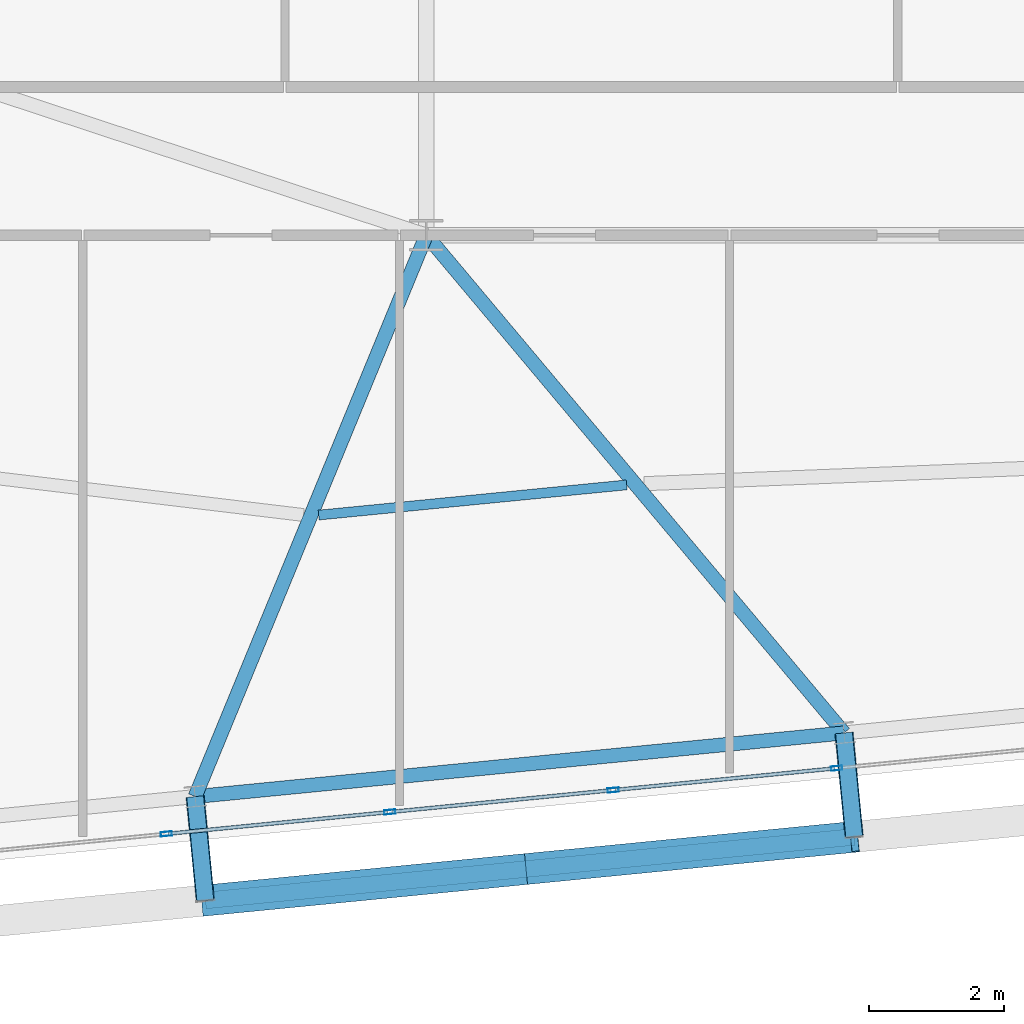
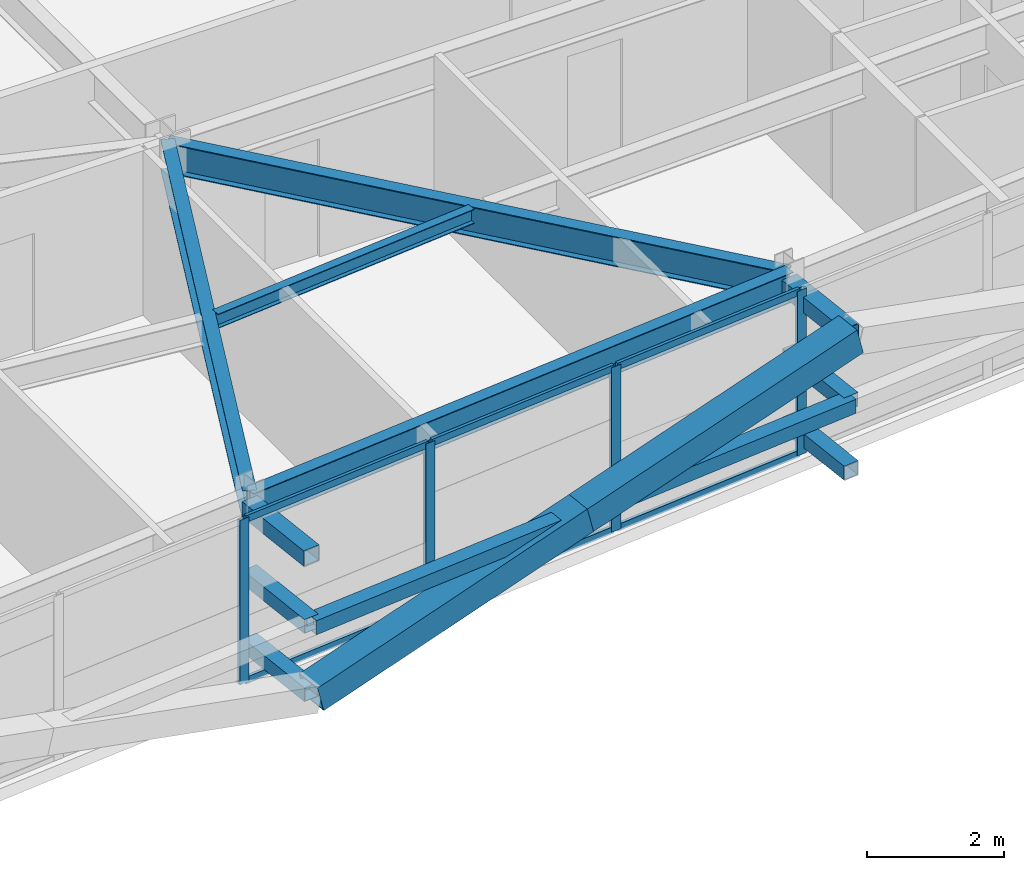
# One storey, part 10 of 53: 19 members, 4 beams, 1 element without a shape of its own.
"""IFC4 building model written with IfcOpenShell, lengths in metres."""

from ifc_helpers import new_model, si_unit, direction, frame, origin, origin_2d, place, context, subcontext, project, spatial, hollow_rectangle, i_section, extrude, source, transform, mapped, material, layer, layer_set, material_profile, profile_set, type_object, element, aggregate, save


model = new_model("IFC4")

# Units and contexts
model_context = context("Model", 3, precision=1e-05, world=origin(), true_north=direction((0.0, 1.0)))
body_context = subcontext(model_context, "Body", "Model", "MODEL_VIEW")
ifc_project = project(units=[si_unit("LENGTHUNIT", "METRE"), si_unit("AREAUNIT", "SQUARE_METRE"), si_unit("VOLUMEUNIT", "CUBIC_METRE"), si_unit("PLANEANGLEUNIT", "RADIAN"), si_unit("MASSUNIT", "GRAM", prefix="KILO")], contexts=[model_context])

# Site, building, storey
site_placement = place(None, origin())
site = spatial("IfcSite", under=ifc_project, at=site_placement, CompositionType="ELEMENT")
building_placement = place(site_placement, origin())
building = spatial("IfcBuilding", under=site, at=building_placement, Name="Taldren Reach Tower", CompositionType="ELEMENT")
storey_placement = place(building_placement, frame((0.0, 0.0, 71.39990234375)))
storey = spatial("IfcBuildingStorey", under=building, at=storey_placement, Name="L21", CompositionType="ELEMENT", Elevation=71.39990234375)

# Beams
ifc_material_1 = material(Name="Steel Gr 350 (350PLUS)", Category="steel")
ifc_material_profile_1 = material_profile(ifc_material_1, i_section(OverallWidth=0.208984375, OverallDepth=0.528076171875, WebThickness=0.009521484375, FlangeThickness=0.01318359375, at=origin_2d()), Name="530UB82.0")
ifc_profile_set_1 = profile_set([ifc_material_profile_1], Name="Steel Gr 350 (350PLUS)")
beam_type_1 = type_object("IfcBeamType", Name="SP-UB530B", PredefinedType="SPANDREL", material=ifc_profile_set_1)
shared_shape_1 = source(origin(), body_context, "Body", "SweptSolid", [
    extrude(i_section(OverallWidth=0.208984375, OverallDepth=0.528076171875, WebThickness=0.009521484375, FlangeThickness=0.01318359375, at=origin_2d()), origin(), (0.0, 0.0, 1.0), 9.679931640625),
])
beam_1_placement = place(storey_placement, frame((24.56787109375, 0.86474609375, 2.666015625), z_axis=(0.995227612658, 0.097580730699, 0.0), x_axis=(-0.097580730699, 0.995227612658, 0.0)))
element("IfcBeam", 1, at=beam_1_placement, inside=storey, type_object=beam_type_1, Name="Perimeter spandrel B2 S2-S3 L21", PredefinedType="SPANDREL", context=body_context, shape_type="MappedRepresentation", body=[
    mapped(shared_shape_1, transform((0.0, 0.0, 0.0), scale=1.0)),
])
ifc_material_profile_2 = material_profile(ifc_material_1, i_section(OverallWidth=0.208984375, OverallDepth=0.532958984375, WebThickness=0.01025390625, FlangeThickness=0.015625, at=origin_2d()), Name="530UB92.4")
ifc_profile_set_2 = profile_set([ifc_material_profile_2], Name="Steel Gr 350 (350PLUS)")
beam_type_2 = type_object("IfcBeamType", Name="BM-UB530A", PredefinedType="BEAM", material=ifc_profile_set_2)
shared_shape_2 = source(origin(), body_context, "Body", "SweptSolid", [
    extrude(i_section(OverallWidth=0.208984375, OverallDepth=0.532958984375, WebThickness=0.01025390625, FlangeThickness=0.015625, at=origin_2d()), origin(), (0.0, 0.0, 1.0), 9.01416015625),
])
beam_2_placement = place(storey_placement, frame((28.0, 9.199951171875, 2.66357421875), z_axis=(-0.380748443035, -0.924678659387, 0.0), x_axis=(0.924678659387, -0.380748443035, 0.0)))
element("IfcBeam", 2, at=beam_2_placement, inside=storey, type_object=beam_type_2, Name="Primary floor girder B2-S2 L21", PredefinedType="BEAM", context=body_context, shape_type="MappedRepresentation", body=[
    mapped(shared_shape_2, transform((0.0, 0.0, 0.0), scale=1.0)),
])
shared_shape_3 = source(origin(), body_context, "Body", "SweptSolid", [
    extrude(i_section(OverallWidth=0.208984375, OverallDepth=0.532958984375, WebThickness=0.01025390625, FlangeThickness=0.015625, at=origin_2d()), origin(), (0.0, 0.0, 1.0), 9.64794921875),
])
beam_3_placement = place(storey_placement, frame((28.0, 9.199951171875, 2.66357421875), z_axis=(0.642799132398, -0.766034774268, 0.0), x_axis=(0.766034774268, 0.642799132398, 0.0)))
element("IfcBeam", 3, at=beam_3_placement, inside=storey, type_object=beam_type_2, Name="Primary floor girder B2-S3 L21", PredefinedType="BEAM", context=body_context, shape_type="MappedRepresentation", body=[
    mapped(shared_shape_3, transform((0.0, 0.0, 0.0), scale=1.0)),
])
ifc_material_2 = material(Name="Steel Gr 300 (300PLUS, 300 MPa)", Category="steel")
ifc_material_profile_3 = material_profile(ifc_material_2, i_section(OverallWidth=0.14599609375, OverallDepth=0.256103515625, WebThickness=0.00634765625, FlangeThickness=0.010986328125, at=origin_2d()), Name="250UB37.3")
ifc_profile_set_3 = profile_set([ifc_material_profile_3], Name="Steel Gr 300 (300PLUS, 300 MPa)")
beam_type_3 = type_object("IfcBeamType", Name="JS-UB250", PredefinedType="JOIST", material=ifc_profile_set_3)
shared_shape_4 = source(origin(), body_context, "Body", "SweptSolid", [
    extrude(i_section(OverallWidth=0.14599609375, OverallDepth=0.256103515625, WebThickness=0.00634765625, FlangeThickness=0.010986328125, at=origin_2d()), origin(), (0.0, 0.0, 1.0), 4.594970703125),
])
beam_4_placement = place(storey_placement, frame((26.40185546875, 5.0439453125, 2.802001953125), z_axis=(0.995230447096, 0.097551817888, 0.0), x_axis=(-0.097551817888, 0.995230447096, 0.0)))
element("IfcBeam", 4, at=beam_4_placement, inside=storey, type_object=beam_type_3, Name="Secondary floor joist B2 J2 L21", PredefinedType="JOIST", context=body_context, shape_type="MappedRepresentation", body=[
    mapped(shared_shape_4, transform((0.0, 0.0, 0.0), scale=1.0)),
])

# Members
ifc_material_3 = material(Name="Steel Gr 450 (C450L0)", Category="steel")
ifc_material_profile_4 = material_profile(ifc_material_3, hollow_rectangle(XDim=0.27490234375, YDim=0.27490234375, WallThickness=0.00927734375, at=origin_2d()), Name="275x275x9.3SHS")
ifc_profile_set_4 = profile_set([ifc_material_profile_4], Name="Steel Gr 450 (C450L0)")
member_type_1 = type_object("IfcMemberType", Name="MB-TIE273", PredefinedType="STRUT", material=ifc_profile_set_4)
shared_shape_5 = source(origin(), body_context, "Body", "SweptSolid", [
    extrude(hollow_rectangle(XDim=0.27490234375, YDim=0.27490234375, WallThickness=0.00927734375, at=origin_2d()), origin(), (0.0, 0.0, 1.0), 1.550048828125),
])
for number, where, z_axis, x_axis, name in (
    (5, (24.56787109375, 0.86474609375, 2.650146484375), (0.097647892962, -0.9952210252, 0.0), (0.9952210252, 0.097647892962, 0.0), "Exoskeleton diaphragm tie strut B2-S2 L21"),
    (6, (34.20166015625, 1.809326171875, 2.650146484375), (0.097647892962, -0.9952210252, 0.0), (0.9952210252, 0.097647892962, 0.0), "Exoskeleton diaphragm tie strut B2-S3 L21"),
):
    element("IfcMember", number, at=place(storey_placement, frame(where, z_axis=z_axis, x_axis=x_axis)), inside=storey, type_object=member_type_1, Name=name, PredefinedType="STRUT", context=body_context, shape_type="MappedRepresentation", body=[
        mapped(shared_shape_5, transform((0.0, 0.0, 0.0), scale=1.0)),
    ])
ifc_material_profile_5 = material_profile(ifc_material_3, hollow_rectangle(XDim=0.4599609375, YDim=0.4599609375, WallThickness=0.01611328125, at=origin_2d()), Name="460x460x16.0SHS")
ifc_profile_set_5 = profile_set([ifc_material_profile_5], Name="Steel Gr 450 (C450L0)")
member_type_2 = type_object("IfcMemberType", Name="MB-EXO457", PredefinedType="BRACE", material=ifc_profile_set_5)
shared_shape_6 = source(origin(), body_context, "Body", "SweptSolid", [
    extrude(hollow_rectangle(XDim=0.4599609375, YDim=0.4599609375, WallThickness=0.01611328125, at=origin_2d()), origin(), (0.0, 0.0, 1.0), 4.990234375),
])
for number, where, z_axis, x_axis, name in (
    (7, (24.71923828125, -0.677978515625, 0.22021484375), (0.965282554799, 0.094669120301, 0.243448859234), (-0.097605711627, 0.995225162995, 0.0), "Exoskeleton Diagrid Brace B2-S2 L21"),
    (8, (29.5361328125, -0.20556640625, 1.43505859375), (0.965275526283, 0.094619506732, 0.243496010862), (-0.097555749586, 0.995230061706, 0.0), "Exoskeleton Diagrid Brace B2-S2 L21"),
):
    element("IfcMember", number, at=place(storey_placement, frame(where, z_axis=z_axis, x_axis=x_axis)), inside=storey, type_object=member_type_2, Name=name, PredefinedType="BRACE", context=body_context, shape_type="MappedRepresentation", body=[
        mapped(shared_shape_6, transform((0.0, 0.0, 0.0), scale=1.0)),
    ])
ifc_material_4 = material(Name="Steel Gr 350 (C350L0)", Category="steel")
ifc_material_profile_6 = material_profile(ifc_material_4, hollow_rectangle(XDim=0.25, YDim=0.25, WallThickness=0.010009765625, at=origin_2d()), Name="250x250x10.0SHS")
ifc_profile_set_6 = profile_set([ifc_material_profile_6], Name="Steel Gr 350 (C350L0)")
member_type_3 = type_object("IfcMemberType", Name="MB-POST250", PredefinedType="POST", material=ifc_profile_set_6)
shared_shape_7 = source(origin(), body_context, "Body", "SweptSolid", [
    extrude(hollow_rectangle(XDim=0.25, YDim=0.25, WallThickness=0.010009765625, at=origin_2d()), origin(), (0.0, 0.0, 1.0), 9.679931640625),
])
member_1_placement = place(storey_placement, frame((24.71923828125, -0.677978515625, 1.43505859375), z_axis=(0.995227612658, 0.097580730699, 0.0), x_axis=(-0.097580730699, 0.995227612658, 0.0)))
element("IfcMember", 9, at=member_1_placement, inside=storey, type_object=member_type_3, Name="Exoskeleton mid-height ring chord B2-S2 L21", PredefinedType="POST", context=body_context, shape_type="MappedRepresentation", body=[
    mapped(shared_shape_7, transform((0.0, 0.0, 0.0), scale=1.0)),
])
shared_shape_8 = source(origin(), body_context, "Body", "SweptSolid", [
    extrude(hollow_rectangle(XDim=0.25, YDim=0.25, WallThickness=0.010009765625, at=origin_2d()), origin(), (0.0, 0.0, 1.0), 1.550048828125),
])
for number, where, z_axis, x_axis, name in (
    (10, (24.56787109375, 0.86474609375, 0.22021484375), (0.097647892962, -0.9952210252, 0.0), (0.9952210252, 0.097647892962, 0.0), "Exoskeleton base diaphragm tie strut B2-S2 L21"),
    (11, (34.20166015625, 1.809326171875, 0.22021484375), (0.097647892962, -0.9952210252, 0.0), (0.9952210252, 0.097647892962, 0.0), "Exoskeleton base diaphragm tie strut B2-S3 L21"),
    (12, (24.56787109375, 0.86474609375, 1.43505859375), (0.097647892962, -0.9952210252, 0.0), (0.9952210252, 0.097647892962, 0.0), "Exoskeleton mid-tier diaphragm tie B2-S2 L21"),
    (13, (34.20166015625, 1.809326171875, 1.43505859375), (0.097647892962, -0.9952210252, 0.0), (0.9952210252, 0.097647892962, 0.0), "Exoskeleton mid-tier diaphragm tie B2-S3 L21"),
):
    element("IfcMember", number, at=place(storey_placement, frame(where, z_axis=z_axis, x_axis=x_axis)), inside=storey, type_object=member_type_3, Name=name, PredefinedType="POST", context=body_context, shape_type="MappedRepresentation", body=[
        mapped(shared_shape_8, transform((0.0, 0.0, 0.0), scale=1.0)),
    ])

# Curtain wall, members
ifc_material_5 = material(Name="Aluminium and Low-E Glass Unitised System", Category="aluminium")
ifc_layer = layer(ifc_material_5, 0.159912109375)
ifc_layer_set = layer_set([ifc_layer], Name="Aluminium and Low-E Glass Unitised System")
curtain_wall_type = type_object("IfcCurtainWallType", Name="CW-SYS-3", PredefinedType="NOTDEFINED", material=ifc_layer_set)
curtain_wall_placement = place(storey_placement, origin())
curtain_wall = element("IfcCurtainWall", 14, at=curtain_wall_placement, inside=storey, type_object=curtain_wall_type, Name="Unitised curtain wall CW-L21-S", PredefinedType="NOTDEFINED")
ifc_material_6 = material(Name="Anodised Aluminium 6063-T6", Category="aluminium")
ifc_material_profile_7 = material_profile(ifc_material_6, hollow_rectangle(XDim=0.06494140625, YDim=0.1650390625, WallThickness=0.00390625, at=origin_2d()), Name="ALU-165x65x4RHS")
ifc_profile_set_7 = profile_set([ifc_material_profile_7], Name="Anodised Aluminium 6063-T6")
member_type_4 = type_object("IfcMemberType", Name="CW-MUL-165", PredefinedType="MULLION", material=ifc_profile_set_7)
shared_shape_9 = source(origin(), body_context, "Body", "SweptSolid", [
    extrude(hollow_rectangle(XDim=0.06494140625, YDim=0.1650390625, WallThickness=0.00390625, at=origin_2d()), origin(), (0.0, 0.0, 1.0), 2.93017578125),
])
member_2_placement = place(storey_placement, frame((24.14013671875, 0.310302734375, 0.0), z_axis=(0.0, 0.0, 1.0), x_axis=(-0.097582999046, 0.995227390247, 0.0)))
member_2 = element("IfcMember", 15, at=member_2_placement, type_object=member_type_4, Name="CW-3 mullion 4", PredefinedType="MULLION", context=body_context, shape_type="MappedRepresentation", body=[
    mapped(shared_shape_9, transform((0.0, 0.0, 0.0), scale=1.0)),
])
member_3_placement = place(storey_placement, frame((27.45751953125, 0.635498046875, 0.0), z_axis=(0.0, 0.0, 1.0), x_axis=(-0.097582999046, 0.995227390247, 0.0)))
member_3 = element("IfcMember", 16, at=member_3_placement, type_object=member_type_4, Name="CW-3 mullion 5", PredefinedType="MULLION", context=body_context, shape_type="MappedRepresentation", body=[
    mapped(shared_shape_9, transform((0.0, 0.0, 0.0), scale=1.0)),
])
member_4_placement = place(storey_placement, frame((30.77490234375, 0.9609375, 0.0), z_axis=(0.0, 0.0, 1.0), x_axis=(-0.097582999046, 0.995227390247, 0.0)))
member_4 = element("IfcMember", 17, at=member_4_placement, type_object=member_type_4, Name="CW-3 mullion 6", PredefinedType="MULLION", context=body_context, shape_type="MappedRepresentation", body=[
    mapped(shared_shape_9, transform((0.0, 0.0, 0.0), scale=1.0)),
])
member_5_placement = place(storey_placement, frame((34.09228515625, 1.2861328125, 0.0), z_axis=(0.0, 0.0, 1.0), x_axis=(-0.097582999046, 0.995227390247, 0.0)))
member_5 = element("IfcMember", 18, at=member_5_placement, type_object=member_type_4, Name="CW-3 mullion 7", PredefinedType="MULLION", context=body_context, shape_type="MappedRepresentation", body=[
    mapped(shared_shape_9, transform((0.0, 0.0, 0.0), scale=1.0)),
])
ifc_material_profile_8 = material_profile(ifc_material_6, hollow_rectangle(XDim=0.054931640625, YDim=0.1201171875, WallThickness=0.0029296875, at=origin_2d()), Name="ALU-120x55x3RHS")
ifc_profile_set_8 = profile_set([ifc_material_profile_8], Name="Anodised Aluminium 6063-T6")
member_type_5 = type_object("IfcMemberType", Name="CW-TRN-135", PredefinedType="USERDEFINED", material=ifc_profile_set_8)
shared_shape_10 = source(origin(), body_context, "Body", "SweptSolid", [
    extrude(hollow_rectangle(XDim=0.054931640625, YDim=0.1201171875, WallThickness=0.0029296875, at=origin_2d()), origin(), (0.0, 0.0, 1.0), 3.268310546875),
])
member_6_placement = place(storey_placement, frame((24.17236328125, 0.3134765625, 0.027587890625), z_axis=(0.99522980512, 0.097558367146, 0.0), x_axis=(-0.097558367146, 0.99522980512, 0.0)))
member_6 = element("IfcMember", 19, at=member_6_placement, type_object=member_type_5, Name="CW-3 transom 4.1", ObjectType="TRANSOM", PredefinedType="USERDEFINED", context=body_context, shape_type="MappedRepresentation", body=[
    mapped(shared_shape_10, transform((0.0, 0.0, 0.0), scale=1.0)),
])
member_7_placement = place(storey_placement, frame((24.17236328125, 0.3134765625, 2.902587890625), z_axis=(0.99522980512, 0.097558367146, 0.0), x_axis=(-0.097558367146, 0.99522980512, 0.0)))
member_7 = element("IfcMember", 20, at=member_7_placement, type_object=member_type_5, Name="CW-3 transom 4.2", ObjectType="TRANSOM", PredefinedType="USERDEFINED", context=body_context, shape_type="MappedRepresentation", body=[
    mapped(shared_shape_10, transform((0.0, 0.0, 0.0), scale=1.0)),
])
member_8_placement = place(storey_placement, frame((27.48974609375, 0.638671875, 0.027587890625), z_axis=(0.995222549564, 0.097632355496, 0.0), x_axis=(-0.097632355496, 0.995222549564, 0.0)))
member_8 = element("IfcMember", 21, at=member_8_placement, type_object=member_type_5, Name="CW-3 transom 5.1", ObjectType="TRANSOM", PredefinedType="USERDEFINED", context=body_context, shape_type="MappedRepresentation", body=[
    mapped(shared_shape_10, transform((0.0, 0.0, 0.0), scale=1.0)),
])
member_9_placement = place(storey_placement, frame((27.48974609375, 0.638671875, 2.902587890625), z_axis=(0.995222549564, 0.097632355496, 0.0), x_axis=(-0.097632355496, 0.995222549564, 0.0)))
member_9 = element("IfcMember", 22, at=member_9_placement, type_object=member_type_5, Name="CW-3 transom 5.2", ObjectType="TRANSOM", PredefinedType="USERDEFINED", context=body_context, shape_type="MappedRepresentation", body=[
    mapped(shared_shape_10, transform((0.0, 0.0, 0.0), scale=1.0)),
])
shared_shape_11 = source(origin(), body_context, "Body", "SweptSolid", [
    extrude(hollow_rectangle(XDim=0.054931640625, YDim=0.1201171875, WallThickness=0.0029296875, at=origin_2d()), origin(), (0.0, 0.0, 1.0), 3.2685546875),
])
member_10_placement = place(storey_placement, frame((30.80712890625, 0.964111328125, 0.027587890625), z_axis=(0.99523051601, 0.097551114824, 0.0), x_axis=(-0.097551114824, 0.99523051601, 0.0)))
member_10 = element("IfcMember", 23, at=member_10_placement, type_object=member_type_5, Name="CW-3 transom 6.1", ObjectType="TRANSOM", PredefinedType="USERDEFINED", context=body_context, shape_type="MappedRepresentation", body=[
    mapped(shared_shape_11, transform((0.0, 0.0, 0.0), scale=1.0)),
])
member_11_placement = place(storey_placement, frame((30.80712890625, 0.964111328125, 2.902587890625), z_axis=(0.99523051601, 0.097551114824, 0.0), x_axis=(-0.097551114824, 0.99523051601, 0.0)))
member_11 = element("IfcMember", 24, at=member_11_placement, type_object=member_type_5, Name="CW-3 transom 6.2", ObjectType="TRANSOM", PredefinedType="USERDEFINED", context=body_context, shape_type="MappedRepresentation", body=[
    mapped(shared_shape_11, transform((0.0, 0.0, 0.0), scale=1.0)),
])
aggregate(curtain_wall, [member_2, member_3, member_4, member_5, member_6, member_7, member_8, member_9, member_10, member_11])

save(model, "model.ifc")
